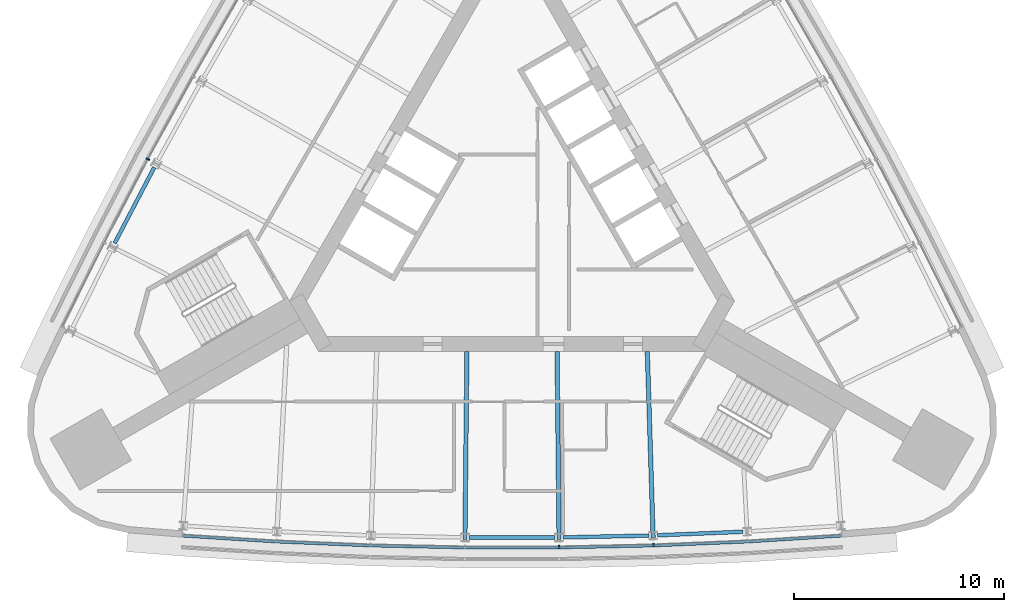
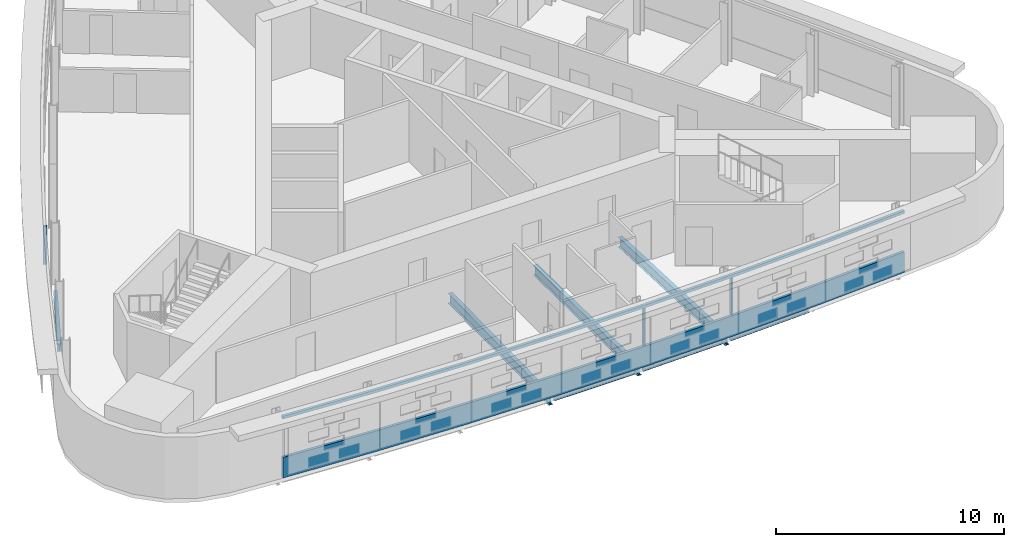
# One storey, part 3 of 12: 7 beams, 5 members, 2 elements without a shape of their own.
"""IFC4 building model written with IfcOpenShell, lengths in metres."""

import ifcopenshell
import ifcopenshell.guid

model = None  # the IFC model being written
_history = None  # IfcOwnerHistory: only IFC2X3 demands one
_inside = {}  # id of a spatial element -> (the spatial element, [elements in it])
_under = {}  # id of a project, library or spatial element -> (it, [spatial elements below it])
_declared = {}  # id of a project -> (the project, [libraries it declares])
_typed = {}  # id of a type object -> (the type object, [elements of that type])
_made_of = {}  # id of a material, layer set ... -> (it, [elements and type objects made of it])


def new_model(schema):
    """Start an empty IFC model of exactly this schema.

    Asked for "IFC4X3", IfcOpenShell would pick the latest addendum, in which some entities
    have other attributes; the version numbers below select the first issue.
    IFC2X3 requires an IfcOwnerHistory on every rooted entity: one is made here for all.
    """
    global model, _history
    if schema == "IFC4X3":
        model = ifcopenshell.file(schema_version=(4, 3, 0, 0))
    else:
        model = ifcopenshell.file(schema=schema)
    _inside.clear()
    _under.clear()
    _declared.clear()
    _typed.clear()
    _made_of.clear()
    _history = None
    if model.schema == "IFC2X3":
        org = make("IfcOrganization", Name="unknown")
        user = make(
            "IfcPersonAndOrganization",
            ThePerson=make("IfcPerson", FamilyName="unknown"),
            TheOrganization=org,
        )
        app = make(
            "IfcApplication",
            ApplicationDeveloper=org,
            Version="unknown",
            ApplicationFullName="unknown",
            ApplicationIdentifier="unknown",
        )
        _history = make(
            "IfcOwnerHistory",
            OwningUser=user,
            OwningApplication=app,
            ChangeAction="ADDED",
            CreationDate=0,
        )
    return model


def make(cls, **values):
    """One entity of the class cls with the attributes given. An attribute that is None is left unset."""
    return model.create_entity(
        cls, **{name: value for name, value in values.items() if value is not None}
    )


def rooted(cls, **values):
    """An entity with a GlobalId (a new one), such as an element, a storey or a relation."""
    return make(cls, GlobalId=ifcopenshell.guid.new(), OwnerHistory=_history, **values)


def si_unit(unit_type, name, prefix=None):
    """IfcSIUnit, for example si_unit("LENGTHUNIT", "METRE", prefix="MILLI")."""
    return make("IfcSIUnit", UnitType=unit_type, Prefix=prefix, Name=name)


def assignment(units):
    """IfcUnitAssignment: the units of a project."""
    return None if units is None else make("IfcUnitAssignment", Units=units)


def point(xyz):
    """IfcCartesianPoint."""
    return None if xyz is None else make("IfcCartesianPoint", Coordinates=xyz)


def direction(xyz):
    """IfcDirection."""
    return None if xyz is None else make("IfcDirection", DirectionRatios=xyz)


def frame(location, z_axis=None, x_axis=None):
    """IfcAxis2Placement3D, a coordinate frame: its origin and axes. An axis left out is left unset."""
    return make(
        "IfcAxis2Placement3D",
        Location=point(location),
        Axis=direction(z_axis),
        RefDirection=direction(x_axis),
    )


def frame_2d(location, x_axis=None):
    """IfcAxis2Placement2D, a coordinate frame in the plane: its origin and x axis."""
    return make(
        "IfcAxis2Placement2D", Location=point(location), RefDirection=direction(x_axis)
    )


def origin():
    """The frame at (0, 0, 0) with its axes left unset."""
    return frame((0.0, 0.0, 0.0))


def origin_2d():
    """The frame at (0, 0) in the plane with its x axis left unset."""
    return frame_2d((0.0, 0.0))


def place(relative_to, where):
    """IfcLocalPlacement: puts the frame where relative to a parent placement (None: the world)."""
    return make(
        "IfcLocalPlacement", PlacementRelTo=relative_to, RelativePlacement=where
    )


def context(
    kind, dimensions, precision=None, world=None, true_north=None, identifier=None
):
    """IfcGeometricRepresentationContext, for example the 3D "Model" context."""
    return make(
        "IfcGeometricRepresentationContext",
        ContextIdentifier=identifier,
        ContextType=kind,
        CoordinateSpaceDimension=dimensions,
        Precision=precision,
        WorldCoordinateSystem=world,
        TrueNorth=true_north,
    )


def subcontext(parent, identifier, kind, view, scale=None):
    """IfcGeometricRepresentationSubContext, for example "Body" below "Model"."""
    return make(
        "IfcGeometricRepresentationSubContext",
        ContextIdentifier=identifier,
        ContextType=kind,
        ParentContext=parent,
        TargetScale=scale,
        TargetView=view,
    )


def project(units=None, contexts=None):
    """IfcProject with its units and contexts."""
    return rooted(
        "IfcProject",
        Name="project",
        RepresentationContexts=contexts,
        UnitsInContext=assignment(units),
    )


def spatial(cls, under=None, at=None, **own):
    """A site, building, storey or space (cls), placed at a placement, below another one or the project."""
    s = rooted(cls, ObjectPlacement=at, **own)
    if under is not None:
        _under.setdefault(under.id(), (under, []))[1].append(s)
    return s


def polyline(points):
    """IfcPolyline through the points."""
    return make("IfcPolyline", Points=[point(p) for p in points])


def profile(cls, at=None, kind="AREA", **sizes):
    """A parametric profile (cls). Its sizes go by their IFC names, for example OverallWidth=200.0."""
    return make(cls, ProfileType=kind, Position=at, **sizes)


def rectangle(**sizes):
    """IfcRectangleProfileDef."""
    return profile("IfcRectangleProfileDef", **sizes)


def i_section(**sizes):
    """IfcIShapeProfileDef."""
    return profile("IfcIShapeProfileDef", **sizes)


def outline(outer, holes=None, kind="AREA"):
    """IfcArbitraryClosedProfileDef: a profile drawn as a closed curve; with holes, ...WithVoids."""
    if holes is None:
        return make("IfcArbitraryClosedProfileDef", ProfileType=kind, OuterCurve=outer)
    return make(
        "IfcArbitraryProfileDefWithVoids",
        ProfileType=kind,
        OuterCurve=outer,
        InnerCurves=holes,
    )


def extrude(swept, where, along, depth):
    """IfcExtrudedAreaSolid: the profile swept, set in the frame where, extruded along a direction by depth."""
    return make(
        "IfcExtrudedAreaSolid",
        SweptArea=swept,
        Position=where,
        ExtrudedDirection=direction(along),
        Depth=depth,
    )


def shape(context_of_items, identifier, shape_type, items):
    """IfcShapeRepresentation: the items that make up one representation, for example the "Body"."""
    return make(
        "IfcShapeRepresentation",
        ContextOfItems=context_of_items,
        RepresentationIdentifier=identifier,
        RepresentationType=shape_type,
        Items=items,
    )


def material(Name=None, Category=None):
    """IfcMaterial."""
    return make("IfcMaterial", Name=Name, Category=Category)


def material_profile(
    of_material, cross_section, Name=None, Category=None, Priority=None
):
    """IfcMaterialProfile: a cross section and its material."""
    return make(
        "IfcMaterialProfile",
        Name=Name,
        Material=of_material,
        Profile=cross_section,
        Priority=Priority,
        Category=Category,
    )


def profile_set(profiles, Name=None, composite=None):
    """IfcMaterialProfileSet."""
    return make(
        "IfcMaterialProfileSet",
        Name=Name,
        MaterialProfiles=profiles,
        CompositeProfile=composite,
    )


def made_of(thing, what):
    """Note that an element or type object is made of a material, layer set ...; save() writes the relation."""
    if what is not None:
        _made_of.setdefault(what.id(), (what, []))[1].append(thing)
    return thing


def type_object(cls, material=None, **own):
    """A type object (cls), such as IfcWallType, which elements share."""
    return made_of(rooted(cls, **own), material)


def element(
    cls,
    number,
    at=None,
    inside=None,
    cuts=None,
    type_object=None,
    material=None,
    context=None,
    identifier="Body",
    shape_type=None,
    held_by="IfcProductDefinitionShape",
    body=None,
    shapes=None,
    **own,
):
    """One element of the class cls, such as IfcWall. Its Tag is "e" and its number.

    at: its placement. inside: the storey or other place that contains it. cuts: it is an
    opening in that element (IfcRelVoidsElement). A single representation is given by context,
    identifier, shape_type and body (its items); several are given by shapes. held_by: the class
    of the entity that holds the representations. save() writes the other relations.
    """
    e = rooted(cls, Tag="e%d" % number, ObjectPlacement=at, **own)
    if body is not None:
        shapes = [shape(context, identifier, shape_type, body)]
    if shapes is not None:
        e.Representation = make(held_by, Representations=shapes)
    if inside is not None:
        _inside.setdefault(inside.id(), (inside, []))[1].append(e)
    if cuts is not None:
        rooted(
            "IfcRelVoidsElement", RelatingBuildingElement=cuts, RelatedOpeningElement=e
        )
    if type_object is not None:
        _typed.setdefault(type_object.id(), (type_object, []))[1].append(e)
    return made_of(e, material)


def aggregate(whole, parts):
    """IfcRelAggregates: a whole, such as a stair, and the parts it consists of."""
    return rooted("IfcRelAggregates", RelatingObject=whole, RelatedObjects=parts)


def save(model, path):
    """Write the relations noted so far, then the file.

    IfcRelAggregates (storeys below a building ...), IfcRelContainedInSpatialStructure (elements
    in a storey), IfcRelDefinesByType, IfcRelAssociatesMaterial and IfcRelDeclares: one each for
    every whole, place, type object, material and project.
    """
    for whole, parts in _under.values():
        aggregate(whole, parts)
    for where, things in _inside.values():
        rooted(
            "IfcRelContainedInSpatialStructure",
            RelatedElements=things,
            RelatingStructure=where,
        )
    for kind, things in _typed.values():
        rooted("IfcRelDefinesByType", RelatedObjects=things, RelatingType=kind)
    for what, things in _made_of.values():
        rooted("IfcRelAssociatesMaterial", RelatedObjects=things, RelatingMaterial=what)
    for by, libraries in _declared.values():
        rooted("IfcRelDeclares", RelatingContext=by, RelatedDefinitions=libraries)
    model.write(path)


model = new_model("IFC4")

# Units and contexts
model_context = context("Model", 3, precision=1e-05, world=origin(), true_north=direction((0.0, 1.0)))
body_context = subcontext(model_context, "Body", "Model", "MODEL_VIEW")
ifc_project = project(units=[si_unit("LENGTHUNIT", "METRE"), si_unit("AREAUNIT", "SQUARE_METRE"), si_unit("VOLUMEUNIT", "CUBIC_METRE"), si_unit("PLANEANGLEUNIT", "RADIAN"), si_unit("MASSUNIT", "GRAM", prefix="KILO")], contexts=[model_context])

# Site, building, storey
site_placement = place(None, origin())
site = spatial("IfcSite", under=ifc_project, at=site_placement, CompositionType="ELEMENT")
building_placement = place(site_placement, origin())
building = spatial("IfcBuilding", under=site, at=building_placement, Name="Noor Cloister Tower", CompositionType="ELEMENT")
storey_placement = place(building_placement, frame((0.0, 0.0, 165.300048828125)))
storey = spatial("IfcBuildingStorey", under=building, at=storey_placement, Name="L42", CompositionType="ELEMENT", Elevation=165.300048828125)

# Curtain wall, member
ifc_material_1 = material(Name="Aluminium 6063-T6 anodised", Category="aluminium")
curtain_wall_type = type_object("IfcCurtainWallType", Name="Ribbon curtain wall, upper tower CW5", PredefinedType="NOTDEFINED", material=ifc_material_1)
curtain_wall_1_placement = place(storey_placement, origin())
curtain_wall_1 = element("IfcCurtainWall", 1, at=curtain_wall_1_placement, inside=storey, type_object=curtain_wall_type, Name="CW5 L42 S run 2", PredefinedType="NOTDEFINED")
ifc_material_2 = material(Name="Aluminium 6063-T6 anodised", Category="aluminium")
member_type_1 = type_object("IfcMemberType", Name="Head transom CW5 150", PredefinedType="USERDEFINED", material=ifc_material_2)
member_1_placement = place(storey_placement, frame((0.0, 0.0, 3.14990234375)))
member_1 = element("IfcMember", 2, at=member_1_placement, type_object=member_type_1, Name="CW5 head transom", ObjectType="TRANSOM", PredefinedType="USERDEFINED", context=body_context, shape_type="SweptSolid", body=[
    extrude(outline(polyline([(-15.73583984375, -15.79345703125), (-11.244873046875, -16.075927734375), (-6.748779296875, -16.264404296875), (-2.25, -16.358642578125), (2.25, -16.358642578125), (6.748779296875, -16.264404296875), (11.244873046875, -16.075927734375), (15.73583984375, -15.79345703125), (15.72705078125, -15.65380859375), (11.237548828125, -15.936279296875), (6.744384765625, -16.12451171875), (2.24853515625, -16.21875), (-2.24853515625, -16.21875), (-6.744384765625, -16.12451171875), (-11.237548828125, -15.936279296875), (-15.72705078125, -15.65380859375), (-15.73583984375, -15.79345703125)])), origin(), (0.0, 0.0, 1.0), 0.150146484375),
])

curtain_wall_2_placement = place(storey_placement, origin())
curtain_wall_2 = element("IfcCurtainWall", 3, at=curtain_wall_2_placement, inside=storey, type_object=curtain_wall_type, Name="CW5 L42 NW run 1", PredefinedType="NOTDEFINED")
ifc_material_3 = material(Name="Aluminium 6063-T6 anodised", Category="aluminium")
ifc_material_profile_1 = material_profile(ifc_material_3, rectangle(XDim=0.179931640625, YDim=0.070068359375, at=origin_2d()), Name="180 x 70 mullion")
ifc_profile_set_1 = profile_set([ifc_material_profile_1], Name="Aluminium 6063-T6 anodised")
member_type_2 = type_object("IfcMemberType", Name="Mullion CW5 70 x 180", PredefinedType="MULLION", material=ifc_profile_set_1)
member_2_placement = place(storey_placement, frame((-17.371826171875, 2.240234375, 1.099853515625), z_axis=(0.0, 0.0, 1.0), x_axis=(0.881305167553, -0.472547565483, 0.0)))
member_2 = element("IfcMember", 4, at=member_2_placement, type_object=member_type_2, Name="CW5 mullion 6", PredefinedType="MULLION", context=body_context, shape_type="SweptSolid", body=[
    extrude(rectangle(XDim=0.179931640625, YDim=0.070068359375, at=origin_2d()), origin(), (0.0, 0.0, 1.0), 2.050048828125),
])
aggregate(curtain_wall_2, [member_2])

# Member
member_3_placement = place(storey_placement, frame((2.2490234375, -16.2587890625, 1.099853515625), z_axis=(0.0, 0.0, 1.0), x_axis=(-0.010472988327, 0.999945156754, 0.0)))
member_3 = element("IfcMember", 5, at=member_3_placement, type_object=member_type_2, Name="CW5 mullion 5", PredefinedType="MULLION", context=body_context, shape_type="SweptSolid", body=[
    extrude(rectangle(XDim=0.179931640625, YDim=0.070068359375, at=origin_2d()), origin(), (0.0, 0.0, 1.0), 2.050048828125),
])

member_4_placement = place(storey_placement, frame((6.745849609375, -16.16455078125, 1.099853515625), z_axis=(0.0, 0.0, 1.0), x_axis=(-0.031414387571, 0.999506446329, 0.0)))
member_4 = element("IfcMember", 6, at=member_4_placement, type_object=member_type_2, Name="CW5 mullion 6", PredefinedType="MULLION", context=body_context, shape_type="SweptSolid", body=[
    extrude(rectangle(XDim=0.179931640625, YDim=0.070068359375, at=origin_2d()), origin(), (0.0, 0.0, 1.0), 2.050048828125),
])

# Beams
ifc_material_4 = material(Name="Steel ASTM A992 Gr 50", Category="steel")
ifc_material_profile_2 = material_profile(ifc_material_4, i_section(OverallWidth=0.208984375, OverallDepth=0.532958984375, WebThickness=0.01025390625, FlangeThickness=0.015625, FilletRadius=0.0126953125, at=origin_2d()), Name="W530x92")
ifc_profile_set_2 = profile_set([ifc_material_profile_2], Name="Steel ASTM A992 Gr 50")
beam_type_1 = type_object("IfcBeamType", Name="Radial beam W530x92", PredefinedType="BEAM", material=ifc_profile_set_2)
for number, where, z_axis, x_axis, name in (
    (7, (-2.245361328125, -15.915771484375, -0.466552734375), (0.010484849986, 0.99994503245, 0.0), (-0.99994503245, 0.010484849986, 0.0), "Radial beam S 04 L42"),
    (8, (2.245361328125, -15.915771484375, -0.466552734375), (-0.010484849986, 0.99994503245, 0.0), (-0.99994503245, -0.010484849986, 0.0), "Radial beam S 05 L42"),
):
    element("IfcBeam", number, at=place(storey_placement, frame(where, z_axis=z_axis, x_axis=x_axis)), inside=storey, type_object=beam_type_1, Name=name, PredefinedType="BEAM", context=body_context, shape_type="SweptSolid", body=[
        extrude(i_section(OverallWidth=0.208984375, OverallDepth=0.532958984375, WebThickness=0.01025390625, FlangeThickness=0.015625, FilletRadius=0.0126953125, at=origin_2d()), origin(), (0.0, 0.0, 1.0), 8.988037109375),
    ])
beam_placement = place(storey_placement, frame((6.73486328125, -15.82177734375, -0.466552734375), z_axis=(-0.031388939531, 0.999507245834, 0.0), x_axis=(-0.999507245834, -0.031388939531, 0.0)))
element("IfcBeam", 9, at=beam_placement, inside=storey, type_object=beam_type_1, Name="Radial beam S 06 L42", PredefinedType="BEAM", context=body_context, shape_type="SweptSolid", body=[
    extrude(i_section(OverallWidth=0.208984375, OverallDepth=0.532958984375, WebThickness=0.01025390625, FlangeThickness=0.015625, FilletRadius=0.0126953125, at=origin_2d()), origin(), (0.0, 0.0, 1.0), 8.89794921875),
])

# Member
ifc_material_5 = material(Name="Aluminium 6063-T6 anodised", Category="aluminium")
member_type_3 = type_object("IfcMemberType", Name="Sill transom CW5 1100", PredefinedType="USERDEFINED", material=ifc_material_5)
member_5_placement = place(storey_placement, origin())
member_5 = element("IfcMember", 10, at=member_5_placement, type_object=member_type_3, Name="CW5 sill transom", ObjectType="TRANSOM", PredefinedType="USERDEFINED", context=body_context, shape_type="SweptSolid", body=[
    extrude(outline(polyline([(-15.73583984375, -15.79345703125), (-11.244873046875, -16.075927734375), (-6.748779296875, -16.264404296875), (-2.25, -16.358642578125), (2.25, -16.358642578125), (6.748779296875, -16.264404296875), (11.244873046875, -16.075927734375), (15.73583984375, -15.79345703125), (15.72705078125, -15.65380859375), (11.237548828125, -15.936279296875), (6.744384765625, -16.12451171875), (2.24853515625, -16.21875), (-2.24853515625, -16.21875), (-6.744384765625, -16.12451171875), (-11.237548828125, -15.936279296875), (-15.72705078125, -15.65380859375), (-15.73583984375, -15.79345703125)])), origin(), (0.0, 0.0, 1.0), 1.099853515625),
])

aggregate(curtain_wall_1, [member_3, member_4, member_5, member_1])

# Beams
ifc_material_6 = material(Name="Steel ASTM A992 Gr 50", Category="steel")
ifc_material_profile_3 = material_profile(ifc_material_6, i_section(OverallWidth=0.177978515625, OverallDepth=0.406005859375, WebThickness=0.0078125, FlangeThickness=0.0126953125, FilletRadius=0.01025390625, at=origin_2d()), Name="W410x60")
ifc_profile_set_3 = profile_set([ifc_material_profile_3], Name="Steel ASTM A992 Gr 50")
beam_type_2 = type_object("IfcBeamType", Name="Spandrel beam W410x60", PredefinedType="SPANDREL", material=ifc_profile_set_3)
for number, where, z_axis, x_axis, name in (
    (11, (-17.067626953125, 1.850830078125, -0.403076171875), (-0.463284047748, -0.886209845975, 0.0), (0.886209845975, -0.463284047748, 0.0), "Spandrel beam NW 06 L42"),
    (12, (-2.044677734375, -15.808837890625, -0.403076171875), (1.0, 0.0, 0.0), (0.0, 1.0, 0.0), "Spandrel beam S 04 L42"),
):
    element("IfcBeam", number, at=place(storey_placement, frame(where, z_axis=z_axis, x_axis=x_axis)), inside=storey, type_object=beam_type_2, Name=name, PredefinedType="SPANDREL", context=body_context, shape_type="SweptSolid", body=[
        extrude(i_section(OverallWidth=0.177978515625, OverallDepth=0.406005859375, WebThickness=0.0078125, FlangeThickness=0.0126953125, FilletRadius=0.01025390625, at=origin_2d()), origin(), (0.0, 0.0, 1.0), 4.08935546875),
    ])
for number, where, z_axis, x_axis, name in (
    (13, (2.443603515625, -15.8046875, -0.403076171875), (0.999780432962, 0.020954375827, 0.0), (-0.020954375827, 0.999780432962, 0.0), "Spandrel beam S 05 L42"),
    (14, (6.930908203125, -15.706298828125, -0.403076171875), (0.99912394431, 0.041849061004, 0.0), (-0.041849061004, 0.99912394431, 0.0), "Spandrel beam S 06 L42"),
):
    element("IfcBeam", number, at=place(storey_placement, frame(where, z_axis=z_axis, x_axis=x_axis)), inside=storey, type_object=beam_type_2, Name=name, PredefinedType="SPANDREL", context=body_context, shape_type="SweptSolid", body=[
        extrude(i_section(OverallWidth=0.177978515625, OverallDepth=0.406005859375, WebThickness=0.0078125, FlangeThickness=0.0126953125, FilletRadius=0.01025390625, at=origin_2d()), origin(), (0.0, 0.0, 1.0), 4.089599609375),
    ])

save(model, "model.ifc")
